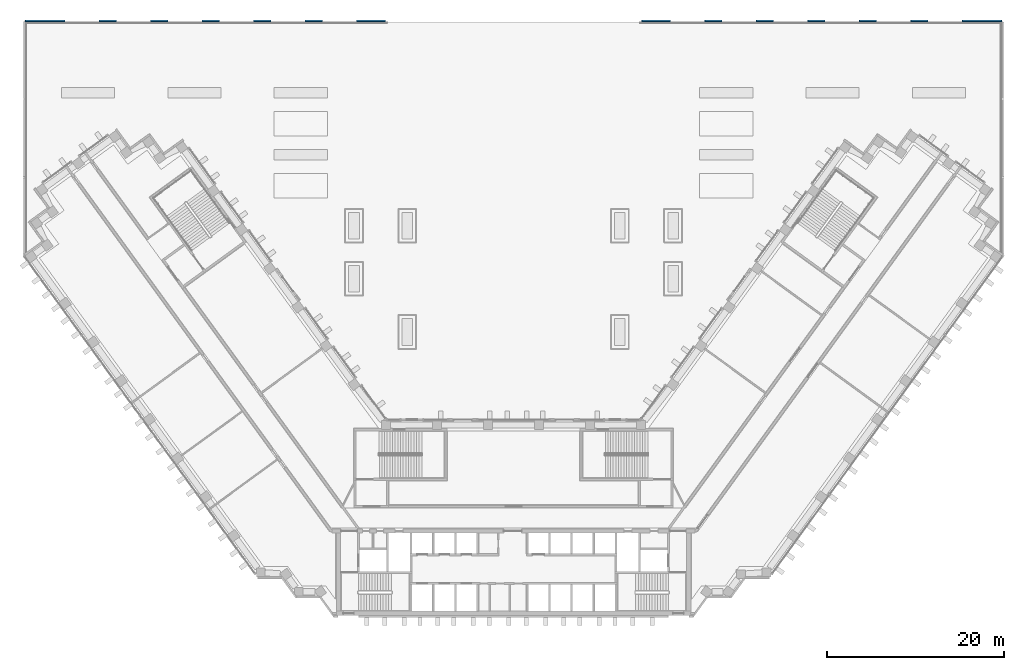
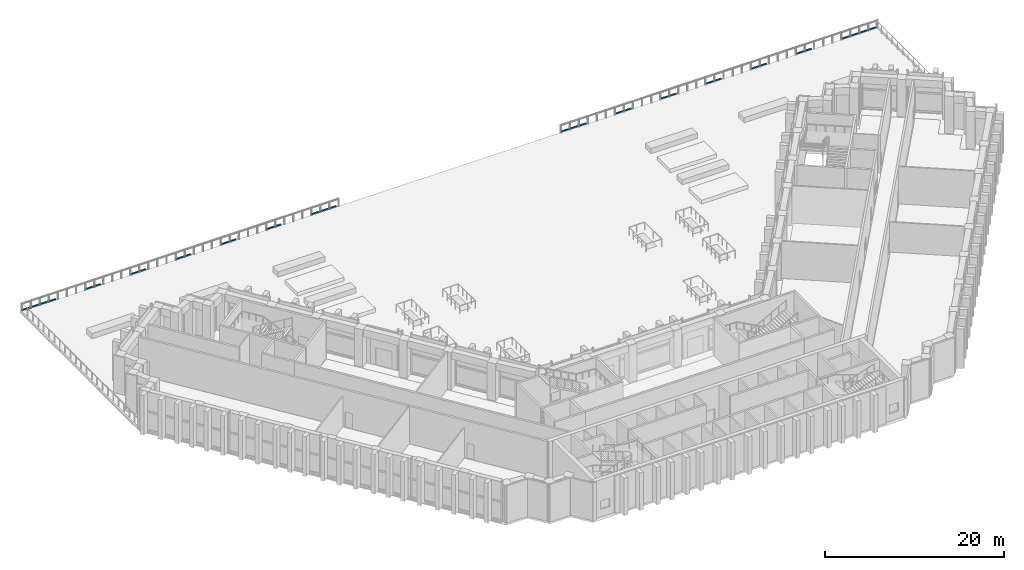
"""IFC4 building model written with IfcOpenShell, lengths in metres."""

from ifc_helpers import new_model, si_unit, direction, frame, origin, origin_2d, place, context, subcontext, project, spatial, rectangle, extrude, material, material_profile, profile_set, type_object, element, aggregate, save


model = new_model("IFC4")

# Units and contexts
model_context = context("Model", 3, precision=1e-05, world=origin(), true_north=direction((0.0, 1.0)))
body_context = subcontext(model_context, "Body", "Model", "MODEL_VIEW")
ifc_project = project(units=[si_unit("LENGTHUNIT", "METRE"), si_unit("AREAUNIT", "SQUARE_METRE"), si_unit("VOLUMEUNIT", "CUBIC_METRE"), si_unit("PLANEANGLEUNIT", "RADIAN"), si_unit("MASSUNIT", "GRAM", prefix="KILO")], contexts=[model_context])

# Site, building, storey
site_placement = place(None, origin())
site = spatial("IfcSite", under=ifc_project, at=site_placement, CompositionType="ELEMENT")
building_placement = place(site_placement, origin())
building = spatial("IfcBuilding", under=site, at=building_placement, Name="Quipu Civic Tower", CompositionType="ELEMENT")
storey_1_placement = place(building_placement, origin())
storey_1 = spatial("IfcBuildingStorey", under=building, at=storey_1_placement, Name="L00", CompositionType="ELEMENT", Elevation=0.0)

# Curtain wall
ifc_material_1 = material(Name="Insulated glass unit", Category="glass")
curtain_wall_type = type_object("IfcCurtainWallType", Name="Hall glazing CW2", PredefinedType="NOTDEFINED", material=ifc_material_1)
curtain_wall_1_placement = place(storey_1_placement, origin())
curtain_wall_1 = element("IfcCurtainWall", 1, at=curtain_wall_1_placement, inside=storey_1, type_object=curtain_wall_type, Name="Hall glazing CW2 L00 run 5", PredefinedType="NOTDEFINED")

# Storey
storey_2_placement = place(building_placement, frame((0.0, 0.0, 6.0)))
storey_2 = spatial("IfcBuildingStorey", under=building, at=storey_2_placement, Name="L01", CompositionType="ELEMENT", Elevation=6.0)

# Member
ifc_material_2 = material(Name="Anodised aluminium", Category="aluminium")
ifc_material_profile = material_profile(ifc_material_2, rectangle(XDim=0.199951171875, YDim=0.179931640625, at=origin_2d()), Name="RECT 200x180")
ifc_profile_set = profile_set([ifc_material_profile], Name="Anodised aluminium")
member_type = type_object("IfcMemberType", Name="Transom CW2", PredefinedType="USERDEFINED", material=ifc_profile_set)
member_1_placement = place(storey_2_placement, frame((55.074462890625, 56.10009765625, 0.0), z_axis=(-1.0, 0.0, 0.0), x_axis=(0.0, -1.0, 0.0)))
member_1 = element("IfcMember", 2, at=member_1_placement, inside=storey_2, type_object=member_type, Name="CW2 transom 1.3", ObjectType="TRANSOM", PredefinedType="USERDEFINED", context=body_context, shape_type="SweptSolid", body=[
    extrude(rectangle(XDim=0.199951171875, YDim=0.179931640625, at=origin_2d()), origin(), (0.0, 0.0, 1.0), 4.443115234375),
])

aggregate(curtain_wall_1, [member_1])

# Curtain wall, member
curtain_wall_2_placement = place(storey_1_placement, origin())
curtain_wall_2 = element("IfcCurtainWall", 3, at=curtain_wall_2_placement, inside=storey_1, type_object=curtain_wall_type, Name="Hall glazing CW2 L00 run 7", PredefinedType="NOTDEFINED")
member_2_placement = place(storey_2_placement, frame((46.744873046875, 56.10009765625, 0.0), z_axis=(-1.0, 0.0, 0.0), x_axis=(0.0, -1.0, 0.0)))
member_2 = element("IfcMember", 4, at=member_2_placement, inside=storey_2, type_object=member_type, Name="CW2 transom 1.3", ObjectType="TRANSOM", PredefinedType="USERDEFINED", context=body_context, shape_type="SweptSolid", body=[
    extrude(rectangle(XDim=0.199951171875, YDim=0.179931640625, at=origin_2d()), origin(), (0.0, 0.0, 1.0), 1.924072265625),
])
aggregate(curtain_wall_2, [member_2])

curtain_wall_3_placement = place(storey_1_placement, origin())
curtain_wall_3 = element("IfcCurtainWall", 5, at=curtain_wall_3_placement, inside=storey_1, type_object=curtain_wall_type, Name="Hall glazing CW2 L00 run 9", PredefinedType="NOTDEFINED")
member_3_placement = place(storey_2_placement, frame((40.934326171875, 56.10009765625, 0.0), z_axis=(-1.0, 0.0, 0.0), x_axis=(0.0, -1.0, 0.0)))
member_3 = element("IfcMember", 6, at=member_3_placement, inside=storey_2, type_object=member_type, Name="CW2 transom 1.3", ObjectType="TRANSOM", PredefinedType="USERDEFINED", context=body_context, shape_type="SweptSolid", body=[
    extrude(rectangle(XDim=0.199951171875, YDim=0.179931640625, at=origin_2d()), origin(), (0.0, 0.0, 1.0), 1.923828125),
])
aggregate(curtain_wall_3, [member_3])

curtain_wall_4_placement = place(storey_1_placement, origin())
curtain_wall_4 = element("IfcCurtainWall", 7, at=curtain_wall_4_placement, inside=storey_1, type_object=curtain_wall_type, Name="Hall glazing CW2 L00 run 11", PredefinedType="NOTDEFINED")
member_4_placement = place(storey_2_placement, frame((35.123779296875, 56.10009765625, 0.0), z_axis=(-1.0, 0.0, 0.0), x_axis=(0.0, -1.0, 0.0)))
member_4 = element("IfcMember", 8, at=member_4_placement, inside=storey_2, type_object=member_type, Name="CW2 transom 1.3", ObjectType="TRANSOM", PredefinedType="USERDEFINED", context=body_context, shape_type="SweptSolid", body=[
    extrude(rectangle(XDim=0.199951171875, YDim=0.179931640625, at=origin_2d()), origin(), (0.0, 0.0, 1.0), 1.923828125),
])
aggregate(curtain_wall_4, [member_4])

curtain_wall_5_placement = place(storey_1_placement, origin())
curtain_wall_5 = element("IfcCurtainWall", 9, at=curtain_wall_5_placement, inside=storey_1, type_object=curtain_wall_type, Name="Hall glazing CW2 L00 run 13", PredefinedType="NOTDEFINED")
member_5_placement = place(storey_2_placement, frame((29.313232421875, 56.10009765625, 0.0), z_axis=(-1.0, 0.0, 0.0), x_axis=(0.0, -1.0, 0.0)))
member_5 = element("IfcMember", 10, at=member_5_placement, inside=storey_2, type_object=member_type, Name="CW2 transom 1.3", ObjectType="TRANSOM", PredefinedType="USERDEFINED", context=body_context, shape_type="SweptSolid", body=[
    extrude(rectangle(XDim=0.199951171875, YDim=0.179931640625, at=origin_2d()), origin(), (0.0, 0.0, 1.0), 1.923828125),
])
aggregate(curtain_wall_5, [member_5])

curtain_wall_6_placement = place(storey_1_placement, origin())
curtain_wall_6 = element("IfcCurtainWall", 11, at=curtain_wall_6_placement, inside=storey_1, type_object=curtain_wall_type, Name="Hall glazing CW2 L00 run 15", PredefinedType="NOTDEFINED")
member_6_placement = place(storey_2_placement, frame((23.502685546875, 56.10009765625, 0.0), z_axis=(-1.0, 0.0, 0.0), x_axis=(0.0, -1.0, 0.0)))
member_6 = element("IfcMember", 12, at=member_6_placement, inside=storey_2, type_object=member_type, Name="CW2 transom 1.3", ObjectType="TRANSOM", PredefinedType="USERDEFINED", context=body_context, shape_type="SweptSolid", body=[
    extrude(rectangle(XDim=0.199951171875, YDim=0.179931640625, at=origin_2d()), origin(), (0.0, 0.0, 1.0), 1.923828125),
])
aggregate(curtain_wall_6, [member_6])

curtain_wall_7_placement = place(storey_1_placement, origin())
curtain_wall_7 = element("IfcCurtainWall", 13, at=curtain_wall_7_placement, inside=storey_1, type_object=curtain_wall_type, Name="Hall glazing CW2 L00 run 17", PredefinedType="NOTDEFINED")
member_7_placement = place(storey_2_placement, frame((17.6923828125, 56.10009765625, 0.0), z_axis=(-1.0, 0.0, 0.0), x_axis=(0.0, -1.0, 0.0)))
member_7 = element("IfcMember", 14, at=member_7_placement, inside=storey_2, type_object=member_type, Name="CW2 transom 1.3", ObjectType="TRANSOM", PredefinedType="USERDEFINED", context=body_context, shape_type="SweptSolid", body=[
    extrude(rectangle(XDim=0.199951171875, YDim=0.179931640625, at=origin_2d()), origin(), (0.0, 0.0, 1.0), 3.2265625),
])
aggregate(curtain_wall_7, [member_7])

curtain_wall_8_placement = place(storey_1_placement, origin())
curtain_wall_8 = element("IfcCurtainWall", 15, at=curtain_wall_8_placement, inside=storey_1, type_object=curtain_wall_type, Name="Hall glazing CW2 L00 run 19", PredefinedType="NOTDEFINED")
member_8_placement = place(storey_2_placement, frame((-14.4658203125, 56.10009765625, 0.0), z_axis=(-1.0, 0.0, 0.0), x_axis=(0.0, -1.0, 0.0)))
member_8 = element("IfcMember", 16, at=member_8_placement, inside=storey_2, type_object=member_type, Name="CW2 transom 1.3", ObjectType="TRANSOM", PredefinedType="USERDEFINED", context=body_context, shape_type="SweptSolid", body=[
    extrude(rectangle(XDim=0.199951171875, YDim=0.179931640625, at=origin_2d()), origin(), (0.0, 0.0, 1.0), 3.2265625),
])
aggregate(curtain_wall_8, [member_8])

curtain_wall_9_placement = place(storey_1_placement, origin())
curtain_wall_9 = element("IfcCurtainWall", 17, at=curtain_wall_9_placement, inside=storey_1, type_object=curtain_wall_type, Name="Hall glazing CW2 L00 run 21", PredefinedType="NOTDEFINED")
member_9_placement = place(storey_2_placement, frame((-21.578857421875, 56.10009765625, 0.0), z_axis=(-1.0, 0.0, 0.0), x_axis=(0.0, -1.0, 0.0)))
member_9 = element("IfcMember", 18, at=member_9_placement, inside=storey_2, type_object=member_type, Name="CW2 transom 1.3", ObjectType="TRANSOM", PredefinedType="USERDEFINED", context=body_context, shape_type="SweptSolid", body=[
    extrude(rectangle(XDim=0.199951171875, YDim=0.179931640625, at=origin_2d()), origin(), (0.0, 0.0, 1.0), 1.923828125),
])
aggregate(curtain_wall_9, [member_9])

curtain_wall_10_placement = place(storey_1_placement, origin())
curtain_wall_10 = element("IfcCurtainWall", 19, at=curtain_wall_10_placement, inside=storey_1, type_object=curtain_wall_type, Name="Hall glazing CW2 L00 run 23", PredefinedType="NOTDEFINED")
member_10_placement = place(storey_2_placement, frame((-27.389404296875, 56.10009765625, 0.0), z_axis=(-1.0, 0.0, 0.0), x_axis=(0.0, -1.0, 0.0)))
member_10 = element("IfcMember", 20, at=member_10_placement, inside=storey_2, type_object=member_type, Name="CW2 transom 1.3", ObjectType="TRANSOM", PredefinedType="USERDEFINED", context=body_context, shape_type="SweptSolid", body=[
    extrude(rectangle(XDim=0.199951171875, YDim=0.179931640625, at=origin_2d()), origin(), (0.0, 0.0, 1.0), 1.923828125),
])
aggregate(curtain_wall_10, [member_10])

curtain_wall_11_placement = place(storey_1_placement, origin())
curtain_wall_11 = element("IfcCurtainWall", 21, at=curtain_wall_11_placement, inside=storey_1, type_object=curtain_wall_type, Name="Hall glazing CW2 L00 run 25", PredefinedType="NOTDEFINED")
member_11_placement = place(storey_2_placement, frame((-33.199951171875, 56.10009765625, 0.0), z_axis=(-1.0, 0.0, 0.0), x_axis=(0.0, -1.0, 0.0)))
member_11 = element("IfcMember", 22, at=member_11_placement, inside=storey_2, type_object=member_type, Name="CW2 transom 1.3", ObjectType="TRANSOM", PredefinedType="USERDEFINED", context=body_context, shape_type="SweptSolid", body=[
    extrude(rectangle(XDim=0.199951171875, YDim=0.179931640625, at=origin_2d()), origin(), (0.0, 0.0, 1.0), 1.923828125),
])
aggregate(curtain_wall_11, [member_11])

curtain_wall_12_placement = place(storey_1_placement, origin())
curtain_wall_12 = element("IfcCurtainWall", 23, at=curtain_wall_12_placement, inside=storey_1, type_object=curtain_wall_type, Name="Hall glazing CW2 L00 run 27", PredefinedType="NOTDEFINED")
member_12_placement = place(storey_2_placement, frame((-39.010498046875, 56.10009765625, 0.0), z_axis=(-1.0, 0.0, 0.0), x_axis=(0.0, -1.0, 0.0)))
member_12 = element("IfcMember", 24, at=member_12_placement, inside=storey_2, type_object=member_type, Name="CW2 transom 1.3", ObjectType="TRANSOM", PredefinedType="USERDEFINED", context=body_context, shape_type="SweptSolid", body=[
    extrude(rectangle(XDim=0.199951171875, YDim=0.179931640625, at=origin_2d()), origin(), (0.0, 0.0, 1.0), 1.923828125),
])
aggregate(curtain_wall_12, [member_12])

curtain_wall_13_placement = place(storey_1_placement, origin())
curtain_wall_13 = element("IfcCurtainWall", 25, at=curtain_wall_13_placement, inside=storey_1, type_object=curtain_wall_type, Name="Hall glazing CW2 L00 run 29", PredefinedType="NOTDEFINED")
member_13_placement = place(storey_2_placement, frame((-44.82080078125, 56.10009765625, 0.0), z_axis=(-1.0, 0.0, 0.0), x_axis=(0.0, -1.0, 0.0)))
member_13 = element("IfcMember", 26, at=member_13_placement, inside=storey_2, type_object=member_type, Name="CW2 transom 1.3", ObjectType="TRANSOM", PredefinedType="USERDEFINED", context=body_context, shape_type="SweptSolid", body=[
    extrude(rectangle(XDim=0.199951171875, YDim=0.179931640625, at=origin_2d()), origin(), (0.0, 0.0, 1.0), 1.924072265625),
])
aggregate(curtain_wall_13, [member_13])

curtain_wall_14_placement = place(storey_1_placement, origin())
curtain_wall_14 = element("IfcCurtainWall", 27, at=curtain_wall_14_placement, inside=storey_1, type_object=curtain_wall_type, Name="Hall glazing CW2 L00 run 31", PredefinedType="NOTDEFINED")
member_14_placement = place(storey_2_placement, frame((-50.63134765625, 56.10009765625, 0.0), z_axis=(-1.0, 0.0, 0.0), x_axis=(0.0, -1.0, 0.0)))
member_14 = element("IfcMember", 28, at=member_14_placement, inside=storey_2, type_object=member_type, Name="CW2 transom 1.3", ObjectType="TRANSOM", PredefinedType="USERDEFINED", context=body_context, shape_type="SweptSolid", body=[
    extrude(rectangle(XDim=0.199951171875, YDim=0.179931640625, at=origin_2d()), origin(), (0.0, 0.0, 1.0), 4.443115234375),
])
aggregate(curtain_wall_14, [member_14])

save(model, "model.ifc")
